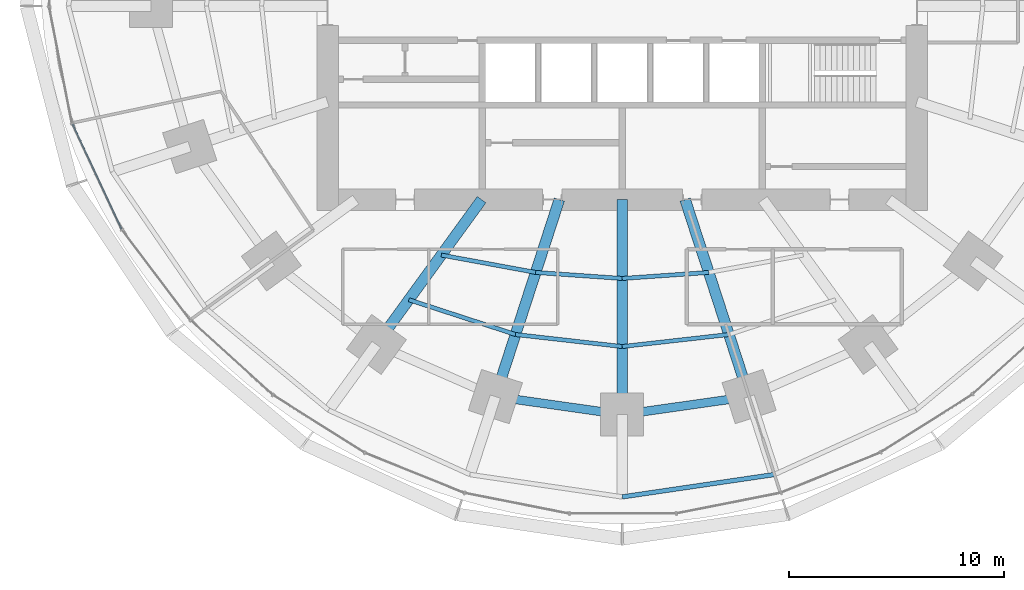
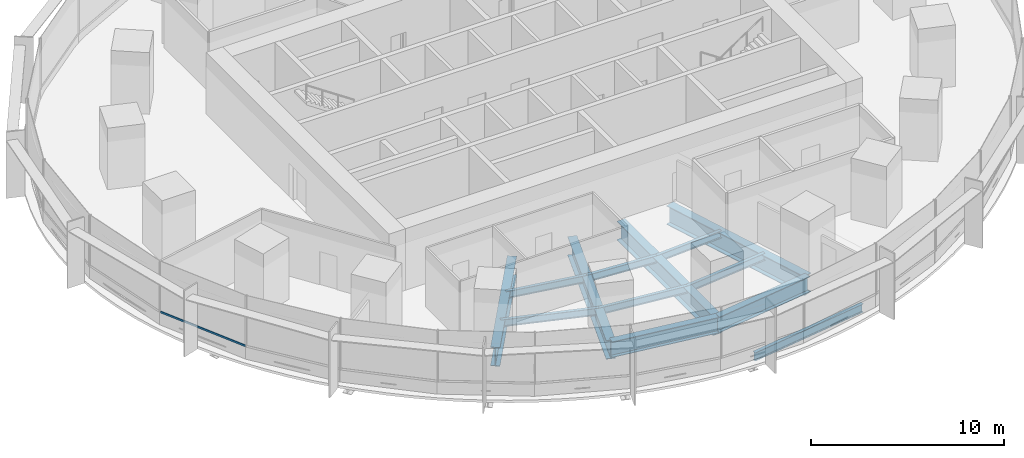
# One storey, part 3 of 15: 13 beams, 1 member, 1 element without a shape of its own.
"""IFC4 building model written with IfcOpenShell, lengths in metres."""

from ifc_helpers import new_model, si_unit, direction, frame, origin, origin_2d, place, context, subcontext, project, spatial, rectangle, i_section, extrude, material, material_profile, profile_set, type_object, element, aggregate, save


model = new_model("IFC4")

# Units and contexts
model_context = context("Model", 3, precision=1e-05, world=origin(), true_north=direction((0.0, 1.0)))
body_context = subcontext(model_context, "Body", "Model", "MODEL_VIEW")
ifc_project = project(units=[si_unit("LENGTHUNIT", "METRE"), si_unit("AREAUNIT", "SQUARE_METRE"), si_unit("VOLUMEUNIT", "CUBIC_METRE"), si_unit("PLANEANGLEUNIT", "RADIAN"), si_unit("MASSUNIT", "GRAM", prefix="KILO")], contexts=[model_context])

# Site, building, storey
site_placement = place(None, origin())
site = spatial("IfcSite", under=ifc_project, at=site_placement, CompositionType="ELEMENT")
building_placement = place(site_placement, origin())
building = spatial("IfcBuilding", under=site, at=building_placement, Name="Marramba Exchange Tower", CompositionType="ELEMENT")
storey_placement = place(building_placement, frame((0.0, 0.0, 28.0)))
storey = spatial("IfcBuildingStorey", under=building, at=storey_placement, Name="L06", CompositionType="ELEMENT", Elevation=28.0)

# Beams
ifc_material_1 = material(Name="Steel AS/NZS 3679.1 grade 300", Category="steel")
ifc_material_profile_1 = material_profile(ifc_material_1, i_section(OverallWidth=0.18994140625, OverallDepth=0.4541015625, WebThickness=0.008544921875, FlangeThickness=0.0126953125, FilletRadius=0.011474609375, at=origin_2d()), Name="460UB67.1")
ifc_profile_set_1 = profile_set([ifc_material_profile_1], Name="Steel AS/NZS 3679.1 grade 300")
beam_type_1 = type_object("IfcBeamType", Name="Floor joist 460UB67.1", PredefinedType="JOIST", material=ifc_profile_set_1)
beam_1_placement = place(storey_placement, frame((-8.41162109375, -11.57763671875, -0.386962890625), z_axis=(0.983455754421, -0.181148500119, 0.0), x_axis=(0.181148500119, 0.983455754421, 0.0)))
element("IfcBeam", 1, at=beam_1_placement, inside=storey, type_object=beam_type_1, Name="Joist L06 bay 14 row 1", PredefinedType="JOIST", context=body_context, shape_type="SweptSolid", body=[
    extrude(i_section(OverallWidth=0.18994140625, OverallDepth=0.4541015625, WebThickness=0.008544921875, FlangeThickness=0.0126953125, FilletRadius=0.011474609375, at=origin_2d()), origin(), (0.0, 0.0, 1.0), 4.4609375),
])
beam_2_placement = place(storey_placement, frame((-9.9208984375, -13.655029296875, -0.386962890625), z_axis=(0.950764024931, -0.309915744834, 0.0), x_axis=(0.309915744834, 0.950764024931, 0.0)))
element("IfcBeam", 2, at=beam_2_placement, inside=storey, type_object=beam_type_1, Name="Joist L06 bay 14 row 2", PredefinedType="JOIST", context=body_context, shape_type="SweptSolid", body=[
    extrude(i_section(OverallWidth=0.18994140625, OverallDepth=0.4541015625, WebThickness=0.008544921875, FlangeThickness=0.0126953125, FilletRadius=0.011474609375, at=origin_2d()), origin(), (0.0, 0.0, 1.0), 5.2158203125),
])
beam_3_placement = place(storey_placement, frame((-4.0244140625, -12.3857421875, -0.386962890625), z_axis=(0.99759625901, -0.069294328838, 0.0), x_axis=(0.069294328838, 0.99759625901, 0.0)))
element("IfcBeam", 3, at=beam_3_placement, inside=storey, type_object=beam_type_1, Name="Joist L06 bay 15 row 1", PredefinedType="JOIST", context=body_context, shape_type="SweptSolid", body=[
    extrude(i_section(OverallWidth=0.18994140625, OverallDepth=0.4541015625, WebThickness=0.008544921875, FlangeThickness=0.0126953125, FilletRadius=0.011474609375, at=origin_2d()), origin(), (0.0, 0.0, 1.0), 4.0341796875),
])
beam_4_placement = place(storey_placement, frame((-4.9619140625, -15.271484375, -0.386962890625), z_axis=(0.993712018573, -0.111966174106, 0.0), x_axis=(0.111966174106, 0.993712018573, 0.0)))
element("IfcBeam", 4, at=beam_4_placement, inside=storey, type_object=beam_type_1, Name="Joist L06 bay 15 row 2", PredefinedType="JOIST", context=body_context, shape_type="SweptSolid", body=[
    extrude(i_section(OverallWidth=0.18994140625, OverallDepth=0.4541015625, WebThickness=0.008544921875, FlangeThickness=0.0126953125, FilletRadius=0.011474609375, at=origin_2d()), origin(), (0.0, 0.0, 1.0), 4.993408203125),
])
beam_5_placement = place(storey_placement, frame((0.0, -12.665283203125, -0.386962890625), z_axis=(0.99759625901, 0.069294328838, 0.0), x_axis=(-0.069294328838, 0.99759625901, 0.0)))
element("IfcBeam", 5, at=beam_5_placement, inside=storey, type_object=beam_type_1, Name="Joist L06 bay 16 row 1", PredefinedType="JOIST", context=body_context, shape_type="SweptSolid", body=[
    extrude(i_section(OverallWidth=0.18994140625, OverallDepth=0.4541015625, WebThickness=0.008544921875, FlangeThickness=0.0126953125, FilletRadius=0.011474609375, at=origin_2d()), origin(), (0.0, 0.0, 1.0), 4.0341796875),
])
beam_6_placement = place(storey_placement, frame((0.0, -15.83056640625, -0.386962890625), z_axis=(0.993712018573, 0.111966174106, 0.0), x_axis=(-0.111966174106, 0.993712018573, 0.0)))
element("IfcBeam", 6, at=beam_6_placement, inside=storey, type_object=beam_type_1, Name="Joist L06 bay 16 row 2", PredefinedType="JOIST", context=body_context, shape_type="SweptSolid", body=[
    extrude(i_section(OverallWidth=0.18994140625, OverallDepth=0.4541015625, WebThickness=0.008544921875, FlangeThickness=0.0126953125, FilletRadius=0.011474609375, at=origin_2d()), origin(), (0.0, 0.0, 1.0), 4.993408203125),
])
ifc_material_2 = material(Name="Steel AS/NZS 3679.2 grade 300", Category="steel")
ifc_material_profile_2 = material_profile(ifc_material_2, i_section(OverallWidth=0.5, OverallDepth=1.199951171875, WebThickness=0.01611328125, FlangeThickness=0.0400390625, at=origin_2d()), Name="1200WB455")
ifc_profile_set_2 = profile_set([ifc_material_profile_2], Name="Steel AS/NZS 3679.2 grade 300")
beam_type_2 = type_object("IfcBeamType", Name="Radial girder 1200WB455", PredefinedType="BEAM", material=ifc_profile_set_2)
beam_7_placement = place(storey_placement, frame((-6.538818359375, -9.0, -0.760009765625), z_axis=(-0.587787877172, -0.809015087282, 0.0), x_axis=(0.809015087282, -0.587787877172, 0.0)))
element("IfcBeam", 7, at=beam_7_placement, inside=storey, type_object=beam_type_2, Name="Radial girder L06 TC14", PredefinedType="BEAM", context=body_context, shape_type="SweptSolid", body=[
    extrude(i_section(OverallWidth=0.5, OverallDepth=1.199951171875, WebThickness=0.01611328125, FlangeThickness=0.0400390625, at=origin_2d()), origin(), (0.0, 0.0, 1.0), 8.322021484375),
])
beam_8_placement = place(storey_placement, frame((-2.92431640625, -9.0, -0.760009765625), z_axis=(-0.309022428985, -0.951054750466, 0.0), x_axis=(0.951054750466, -0.309022428985, 0.0)))
element("IfcBeam", 8, at=beam_8_placement, inside=storey, type_object=beam_type_2, Name="Radial girder L06 TC15", PredefinedType="BEAM", context=body_context, shape_type="SweptSolid", body=[
    extrude(i_section(OverallWidth=0.5, OverallDepth=1.199951171875, WebThickness=0.01611328125, FlangeThickness=0.0400390625, at=origin_2d()), origin(), (0.0, 0.0, 1.0), 9.628173828125),
])
beam_9_placement = place(storey_placement, frame((0.0, -9.0, -0.760009765625), z_axis=(0.0, -1.0, 0.0), x_axis=(1.0, 0.0, 0.0)))
element("IfcBeam", 9, at=beam_9_placement, inside=storey, type_object=beam_type_2, Name="Radial girder L06 TC16", PredefinedType="BEAM", context=body_context, shape_type="SweptSolid", body=[
    extrude(i_section(OverallWidth=0.5, OverallDepth=1.199951171875, WebThickness=0.01611328125, FlangeThickness=0.0400390625, at=origin_2d()), origin(), (0.0, 0.0, 1.0), 9.99609375),
])
beam_10_placement = place(storey_placement, frame((2.92431640625, -9.0, -0.760009765625), z_axis=(0.309022428985, -0.951054750466, 0.0), x_axis=(0.951054750466, 0.309022428985, 0.0)))
element("IfcBeam", 10, at=beam_10_placement, inside=storey, type_object=beam_type_2, Name="Radial girder L06 TC17", PredefinedType="BEAM", context=body_context, shape_type="SweptSolid", body=[
    extrude(i_section(OverallWidth=0.5, OverallDepth=1.199951171875, WebThickness=0.01611328125, FlangeThickness=0.0400390625, at=origin_2d()), origin(), (0.0, 0.0, 1.0), 9.628173828125),
])
ifc_material_profile_3 = material_profile(ifc_material_2, i_section(OverallWidth=0.39990234375, OverallDepth=1.0, WebThickness=0.01611328125, FlangeThickness=0.031982421875, at=origin_2d()), Name="1000WB322")
ifc_profile_set_3 = profile_set([ifc_material_profile_3], Name="Steel AS/NZS 3679.2 grade 300")
beam_type_3 = type_object("IfcBeamType", Name="Ring beam 1000WB322", PredefinedType="SPANDREL", material=ifc_profile_set_3)
for number, where, z_axis, x_axis, name in (
    (11, (-5.899658203125, -18.156982421875, -0.659912109375), (0.990036163016, -0.140813337152, 0.0), (0.140813337152, 0.990036163016, 0.0), "Ring beam L06 TC15-TC16"),
    (12, (0.0, -18.99609375, -0.659912109375), (0.990036163016, 0.140813337152, 0.0), (-0.140813337152, 0.990036163016, 0.0), "Ring beam L06 TC16-TC17"),
):
    element("IfcBeam", number, at=place(storey_placement, frame(where, z_axis=z_axis, x_axis=x_axis)), inside=storey, type_object=beam_type_3, Name=name, PredefinedType="SPANDREL", context=body_context, shape_type="SweptSolid", body=[
        extrude(i_section(OverallWidth=0.39990234375, OverallDepth=1.0, WebThickness=0.01611328125, FlangeThickness=0.031982421875, at=origin_2d()), origin(), (0.0, 0.0, 1.0), 5.958984375),
    ])
ifc_material_profile_4 = material_profile(ifc_material_1, i_section(OverallWidth=0.208984375, OverallDepth=0.528076171875, WebThickness=0.009521484375, FlangeThickness=0.01318359375, FilletRadius=0.013916015625, at=origin_2d()), Name="530UB82.0")
ifc_profile_set_4 = profile_set([ifc_material_profile_4], Name="Steel AS/NZS 3679.1 grade 300")
beam_type_4 = type_object("IfcBeamType", Name="Slab edge beam 530UB82.0", PredefinedType="SPANDREL", material=ifc_profile_set_4)
beam_11_placement = place(storey_placement, frame((0.0, -22.822021484375, -0.424072265625), z_axis=(0.989338462178, 0.145634498848, 0.0), x_axis=(-0.145634498848, 0.989338462178, 0.0)))
element("IfcBeam", 13, at=beam_11_placement, inside=storey, type_object=beam_type_4, Name="Slab edge beam L06 TC16-TC17", PredefinedType="SPANDREL", context=body_context, shape_type="SweptSolid", body=[
    extrude(i_section(OverallWidth=0.208984375, OverallDepth=0.528076171875, WebThickness=0.009521484375, FlangeThickness=0.01318359375, FilletRadius=0.013916015625, at=origin_2d()), origin(), (0.0, 0.0, 1.0), 7.153076171875),
])

# Curtain wall, member
ifc_material_3 = material(Name="Aluminium framing, bronze anodised", Category="aluminium")
curtain_wall_type = type_object("IfcCurtainWallType", Name="Trading floor ribbon curtain wall", PredefinedType="USERDEFINED", material=ifc_material_3)
curtain_wall_placement = place(storey_placement, origin())
curtain_wall = element("IfcCurtainWall", 14, at=curtain_wall_placement, inside=storey, type_object=curtain_wall_type, Name="Curtain wall CW3 L06 F16-F20", ObjectType="RIBBON CURTAIN WALL", PredefinedType="USERDEFINED")
ifc_material_4 = material(Name="Aluminium transom, bronze anodised", Category="aluminium")
ifc_material_profile_5 = material_profile(ifc_material_4, rectangle(XDim=0.06005859375, YDim=0.1201171875, at=origin_2d()), Name="CW3 transom 60x120")
ifc_profile_set_5 = profile_set([ifc_material_profile_5], Name="Aluminium transom, bronze anodised")
member_type = type_object("IfcMemberType", Name="Trading floor ribbon curtain wall transom", PredefinedType="USERDEFINED", material=ifc_profile_set_5)
member_placement = place(storey_placement, frame((-25.559326171875, -5.492431640625, 0.830078125), z_axis=(0.423494101671, -0.905898860718, 0.0), x_axis=(0.905898860718, 0.423494101671, 0.0)))
member = element("IfcMember", 15, at=member_placement, type_object=member_type, Name="CW3 sill transom", ObjectType="TRANSOM", PredefinedType="USERDEFINED", context=body_context, shape_type="SweptSolid", body=[
    extrude(rectangle(XDim=0.06005859375, YDim=0.1201171875, at=origin_2d()), origin(), (0.0, 0.0, 1.0), 5.379150390625),
])
aggregate(curtain_wall, [member])

save(model, "model.ifc")
